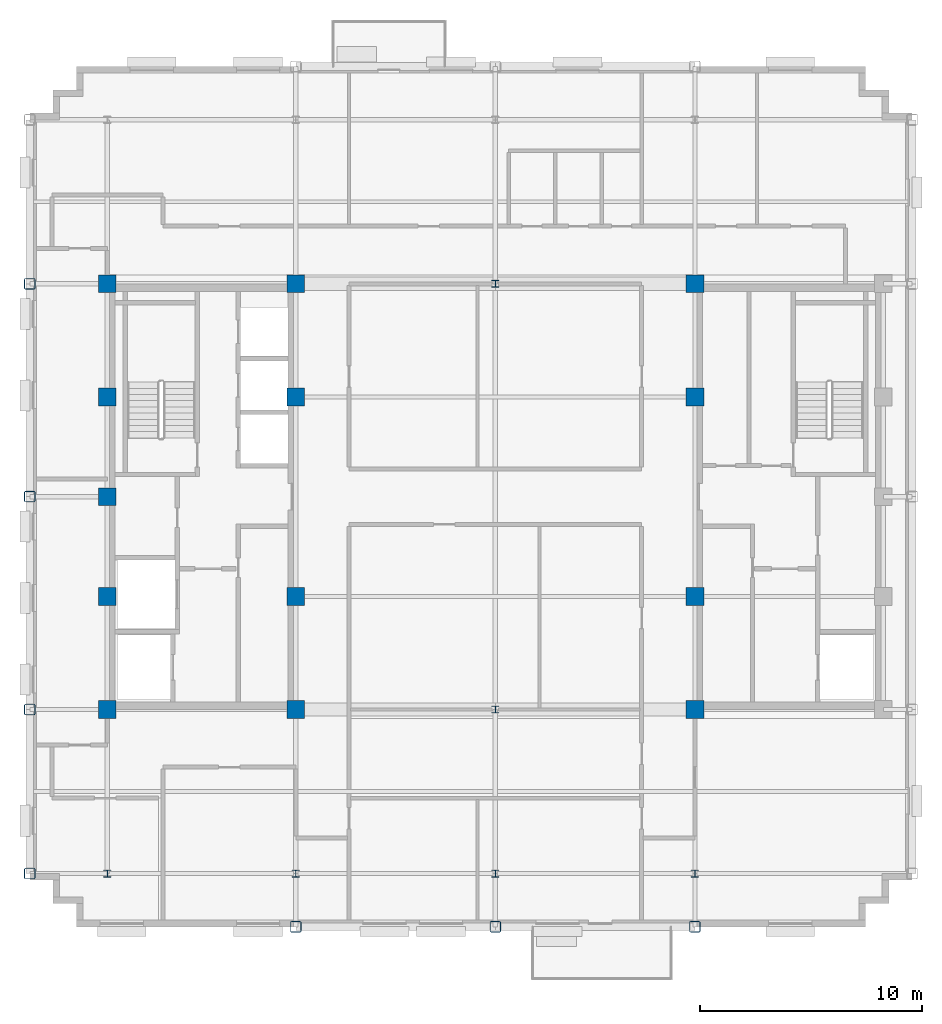
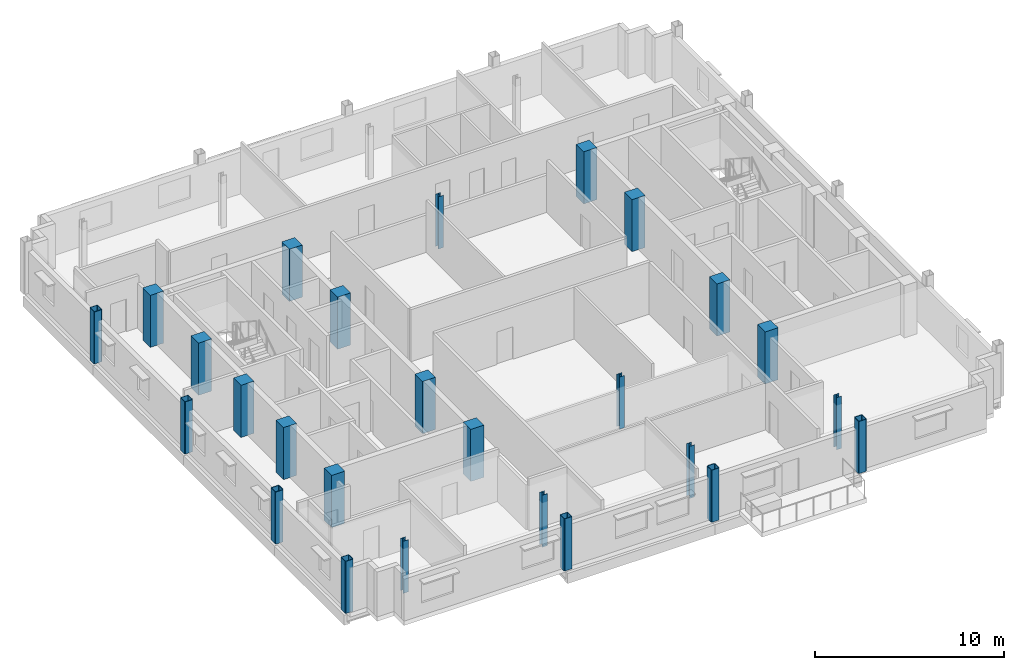
# One storey, part 1 of 13: 26 columns.
"""IFC4 building model written with IfcOpenShell, lengths in metres."""

from ifc_helpers import new_model, si_unit, direction, frame, origin, origin_2d, place, context, subcontext, project, spatial, rectangle, hollow_rectangle, i_section, extrude, material, material_profile, profile_set, type_object, element, save


model = new_model("IFC4")

# Units and contexts
model_context = context("Model", 3, precision=1e-05, world=origin(), true_north=direction((0.0, 1.0)))
body_context = subcontext(model_context, "Body", "Model", "MODEL_VIEW")
ifc_project = project(units=[si_unit("LENGTHUNIT", "METRE"), si_unit("AREAUNIT", "SQUARE_METRE"), si_unit("VOLUMEUNIT", "CUBIC_METRE"), si_unit("PLANEANGLEUNIT", "RADIAN"), si_unit("MASSUNIT", "GRAM", prefix="KILO")], contexts=[model_context])

# Site, building, storey
site_placement = place(None, origin())
site = spatial("IfcSite", under=ifc_project, at=site_placement, CompositionType="ELEMENT")
building_placement = place(site_placement, origin())
building = spatial("IfcBuilding", under=site, at=building_placement, Name="Nuvemarco Arch Tower", CompositionType="ELEMENT")
storey_placement = place(building_placement, frame((0.0, 0.0, 276.199951171875)))
storey = spatial("IfcBuildingStorey", under=building, at=storey_placement, Name="L73", CompositionType="ELEMENT", Elevation=276.199951171875)

# Columns
ifc_material_1 = material(Name="Concrete C50/60", Category="concrete")
ifc_material_profile_1 = material_profile(ifc_material_1, rectangle(XDim=0.800048828125, YDim=0.800048828125, at=origin_2d()), Name="RC-COL-800x800")
ifc_profile_set_1 = profile_set([ifc_material_profile_1], Name="Concrete C50/60")
column_type_1 = type_object("IfcColumnType", Name="COL-CORE-800", PredefinedType="COLUMN", material=ifc_profile_set_1)
for number, where, z_axis, x_axis, name in (
    (1, (-17.5, -9.60009765625, 0.0), (0.0, 0.0, 1.0), (1.0, 0.0, 0.0), "L73 column CC_-17.5_-9.6"),
    (2, (-17.5, -4.5, 0.0), (0.0, 0.0, 1.0), (1.0, 0.0, 0.0), "L73 column CC_-17.5_-4.5"),
    (3, (-17.5, 4.5, 0.0), (0.0, 0.0, 1.0), (1.0, 0.0, 0.0), "L73 column CC_-17.5_+4.5"),
    (4, (-17.5, 9.60009765625, 0.0), (0.0, 0.0, 1.0), (1.0, 0.0, 0.0), "L73 column CC_-17.5_+9.6"),
    (5, (-9.0, -9.60009765625, 0.0), (0.0, 0.0, 1.0), (1.0, 0.0, 0.0), "L73 column CC_-9.0_-9.6"),
    (6, (-9.0, -4.5, 0.0), (0.0, 0.0, 1.0), (1.0, 0.0, 0.0), "L73 column CC_-9.0_-4.5"),
    (7, (-9.0, 4.5, 0.0), (0.0, 0.0, 1.0), (1.0, 0.0, 0.0), "L73 column CC_-9.0_+4.5"),
    (8, (-9.0, 9.60009765625, 0.0), (0.0, 0.0, 1.0), (1.0, 0.0, 0.0), "L73 column CC_-9.0_+9.6"),
    (9, (9.0, -9.60009765625, 0.0), (0.0, 0.0, 1.0), (1.0, 0.0, 0.0), "L73 column CC_+9.0_-9.6"),
    (10, (9.0, -4.5, 0.0), (0.0, 0.0, 1.0), (1.0, 0.0, 0.0), "L73 column CC_+9.0_-4.5"),
    (11, (9.0, 4.5, 0.0), (0.0, 0.0, 1.0), (1.0, 0.0, 0.0), "L73 column CC_+9.0_+4.5"),
    (12, (9.0, 9.60009765625, 0.0), (0.0, 0.0, 1.0), (1.0, 0.0, 0.0), "L73 column CC_+9.0_+9.6"),
    (13, (-17.5, 0.0, 0.0), (0.0, 0.0, 1.0), (1.0, 0.0, 0.0), "L73 column CC_-17.5_+0.0"),
):
    element("IfcColumn", number, at=place(storey_placement, frame(where, z_axis=z_axis, x_axis=x_axis)), inside=storey, type_object=column_type_1, Name=name, PredefinedType="COLUMN", context=body_context, shape_type="SweptSolid", body=[
        extrude(rectangle(XDim=0.800048828125, YDim=0.800048828125, at=origin_2d()), origin(), (0.0, 0.0, 1.0), 3.3701171875),
    ])
ifc_material_2 = material(Name="Steel S355", Category="steel")
ifc_material_profile_2 = material_profile(ifc_material_2, hollow_rectangle(XDim=0.5, YDim=0.5, WallThickness=0.031982421875, InnerFilletRadius=0.031982421875, OuterFilletRadius=0.06396484375, at=origin_2d()), Name="SHS500x500x32")
ifc_profile_set_2 = profile_set([ifc_material_profile_2], Name="Steel S355")
column_type_2 = type_object("IfcColumnType", Name="COL-EXO-500", PredefinedType="COLUMN", material=ifc_profile_set_2)
for number, where, z_axis, x_axis, name in (
    (14, (-21.0, -17.0, 0.0), (0.0, 0.0, 1.0), (1.0, 0.0, 0.0), "L73 column CX_-21.0_-17.0"),
    (15, (-21.0, -9.60009765625, 0.0), (0.0, 0.0, 1.0), (1.0, 0.0, 0.0), "L73 column CX_-21.0_-9.6"),
    (16, (-21.0, 0.0, 0.0), (0.0, 0.0, 1.0), (1.0, 0.0, 0.0), "L73 column CX_-21.0_+0.0"),
    (17, (-21.0, 9.60009765625, 0.0), (0.0, 0.0, 1.0), (1.0, 0.0, 0.0), "L73 column CX_-21.0_+9.6"),
    (18, (-9.0, -19.39990234375, 0.0), (0.0, 0.0, 1.0), (1.0, 0.0, 0.0), "L73 column CY_-9.0_-19.4"),
    (19, (0.0, -19.39990234375, 0.0), (0.0, 0.0, 1.0), (1.0, 0.0, 0.0), "L73 column CY_+0.0_-19.4"),
    (20, (9.0, -19.39990234375, 0.0), (0.0, 0.0, 1.0), (1.0, 0.0, 0.0), "L73 column CY_+9.0_-19.4"),
):
    element("IfcColumn", number, at=place(storey_placement, frame(where, z_axis=z_axis, x_axis=x_axis)), inside=storey, type_object=column_type_2, Name=name, PredefinedType="COLUMN", context=body_context, shape_type="SweptSolid", body=[
        extrude(hollow_rectangle(XDim=0.5, YDim=0.5, WallThickness=0.031982421875, InnerFilletRadius=0.031982421875, OuterFilletRadius=0.06396484375, at=origin_2d()), origin(), (0.0, 0.0, 1.0), 3.3701171875),
    ])
ifc_material_profile_3 = material_profile(ifc_material_2, i_section(OverallWidth=0.31005859375, OverallDepth=0.31005859375, WebThickness=0.015380859375, FlangeThickness=0.015380859375, FilletRadius=0.014892578125, at=origin_2d()), Name="HP310x110")
ifc_profile_set_3 = profile_set([ifc_material_profile_3], Name="Steel S355")
column_type_3 = type_object("IfcColumnType", Name="COL-STL-HP310", PredefinedType="COLUMN", material=ifc_profile_set_3)
for number, where, z_axis, x_axis, name in (
    (21, (0.0, -17.0, 0.0), (0.0, 0.0, 1.0), (1.0, 0.0, 0.0), "L73 column CI_+0.0_-17.0"),
    (22, (0.0, -9.60009765625, 0.0), (0.0, 0.0, 1.0), (1.0, 0.0, 0.0), "L73 column CI_+0.0_-9.6"),
    (23, (0.0, 9.60009765625, 0.0), (0.0, 0.0, 1.0), (1.0, 0.0, 0.0), "L73 column CI_+0.0_+9.6"),
    (24, (-17.5, -17.0, 0.0), (0.0, 0.0, 1.0), (1.0, 0.0, 0.0), "L73 column CI_-17.5_-17.0"),
    (25, (-9.0, -17.0, 0.0), (0.0, 0.0, 1.0), (1.0, 0.0, 0.0), "L73 column CI_-9.0_-17.0"),
    (26, (9.0, -17.0, 0.0), (0.0, 0.0, 1.0), (1.0, 0.0, 0.0), "L73 column CI_+9.0_-17.0"),
):
    element("IfcColumn", number, at=place(storey_placement, frame(where, z_axis=z_axis, x_axis=x_axis)), inside=storey, type_object=column_type_3, Name=name, PredefinedType="COLUMN", context=body_context, shape_type="SweptSolid", body=[
        extrude(i_section(OverallWidth=0.31005859375, OverallDepth=0.31005859375, WebThickness=0.015380859375, FlangeThickness=0.015380859375, FilletRadius=0.014892578125, at=origin_2d()), origin(), (0.0, 0.0, 1.0), 3.3701171875),
    ])

save(model, "model.ifc")
